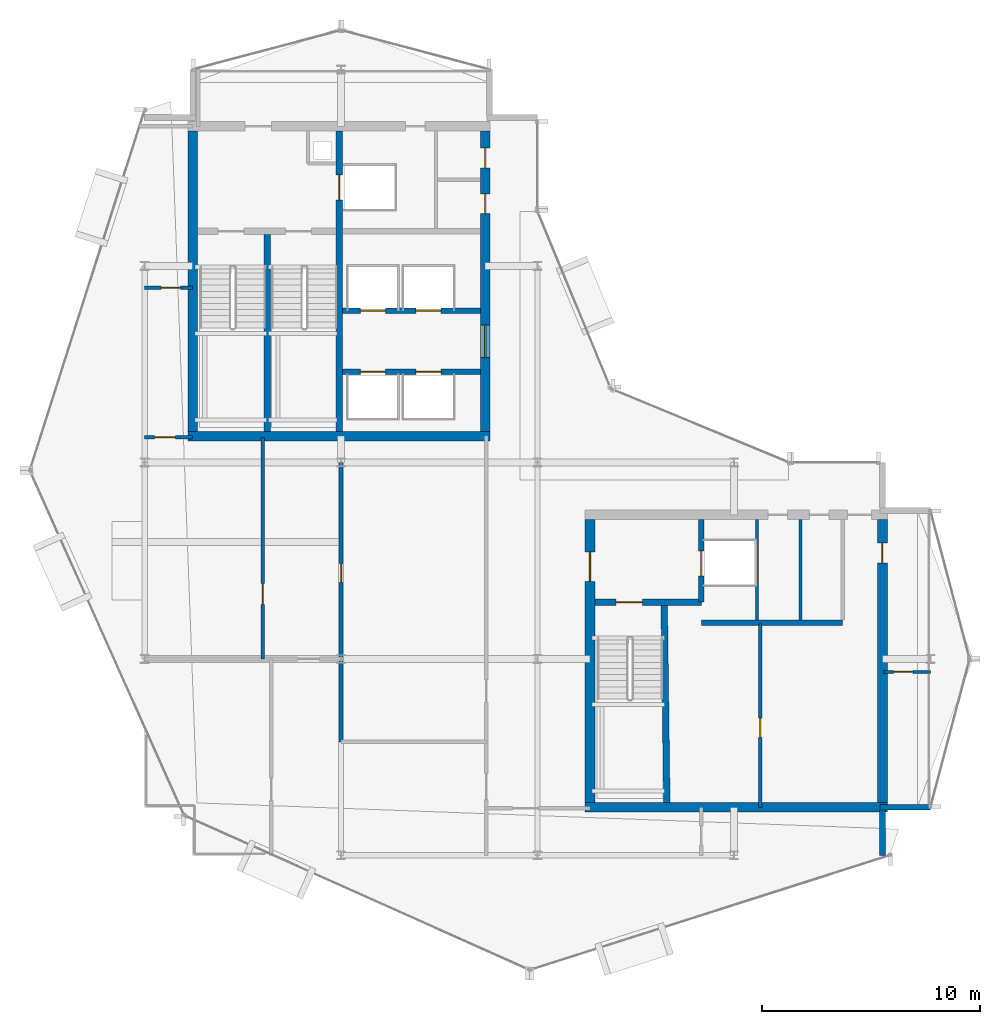
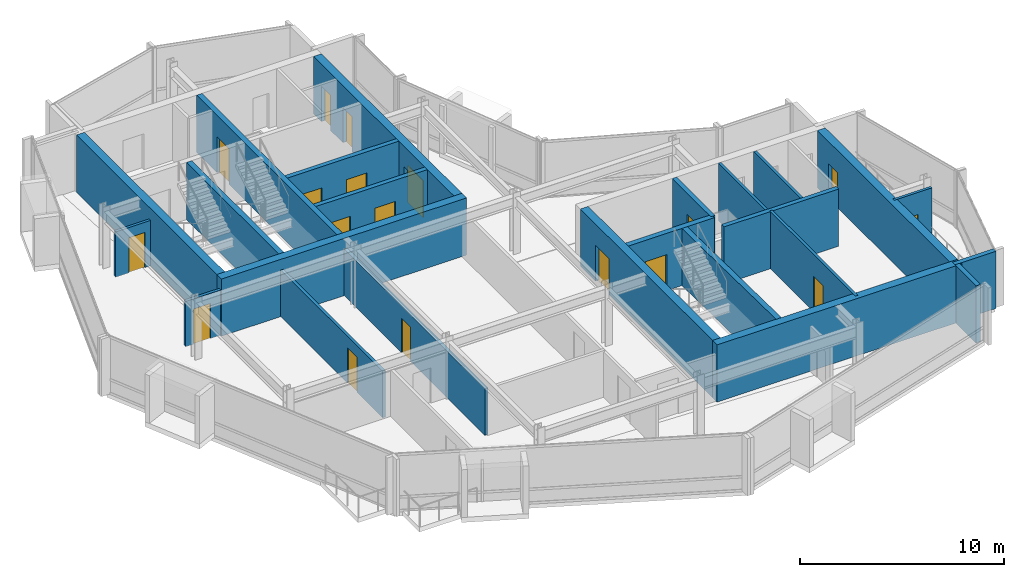
# One storey, part 14 of 19: 24 walls, 18 doors, 18 openings.
"""IFC4 building model written with IfcOpenShell, lengths in metres."""

from ifc_helpers import new_model, si_unit, direction, frame, frame_2d, origin, place, context, subcontext, project, spatial, rectangle, extrude, material, layer, layer_set, type_object, element, fill, save


model = new_model("IFC4")

# Units and contexts
model_context = context("Model", 3, precision=1e-05, world=origin(), true_north=direction((0.0, 1.0)))
body_context = subcontext(model_context, "Body", "Model", "MODEL_VIEW")
ifc_project = project(units=[si_unit("LENGTHUNIT", "METRE"), si_unit("AREAUNIT", "SQUARE_METRE"), si_unit("VOLUMEUNIT", "CUBIC_METRE"), si_unit("PLANEANGLEUNIT", "RADIAN"), si_unit("MASSUNIT", "GRAM", prefix="KILO")], contexts=[model_context])

# Site, building, storey
site_placement = place(None, origin())
site = spatial("IfcSite", under=ifc_project, at=site_placement, CompositionType="ELEMENT")
building_placement = place(site_placement, origin())
building = spatial("IfcBuilding", under=site, at=building_placement, Name="Solvaryn Broadcast Tower", CompositionType="ELEMENT")
storey_placement = place(building_placement, frame((0.0, 0.0, 248.199951171875)))
storey = spatial("IfcBuildingStorey", under=building, at=storey_placement, Name="L62", CompositionType="ELEMENT", Elevation=248.199951171875)

# Walls
ifc_material_1 = material(Name="Concrete f'c 70 MPa", Category="concrete")
ifc_layer_1 = layer(ifc_material_1, 0.449951171875)
ifc_layer_set_1 = layer_set([ifc_layer_1], Name="CW-SHEAR-450")
wall_type_1 = type_object("IfcWallType", Name="CW-SHEAR-450", PredefinedType="SHEAR", material=ifc_layer_set_1)
wall_1_placement = place(storey_placement, frame((10.97509765625, 28.199951171875, 0.0), z_axis=(0.0, 0.0, 1.0), x_axis=(1.0, 0.0, 0.0)))
element("IfcWall", 1, at=wall_1_placement, inside=storey, type_object=wall_type_1, Name="L62 West Core South Shear Wall", PredefinedType="SHEAR", context=body_context, shape_type="SweptSolid", body=[
    extrude(rectangle(XDim=13.849853515625, YDim=0.449951171875, at=frame_2d((6.9248046875, 0.0))), origin(), (0.0, 0.0, 1.0), 3.420166015625),
])
wall_2_placement = place(storey_placement, frame((11.199951171875, 42.175048828125, 0.0), z_axis=(0.0, 0.0, 1.0), x_axis=(0.0, -1.0, 0.0)))
element("IfcWall", 2, at=wall_2_placement, inside=storey, type_object=wall_type_1, Name="L62 West Core West Shear Wall", PredefinedType="SHEAR", context=body_context, shape_type="SweptSolid", body=[
    extrude(rectangle(XDim=13.75, YDim=0.449951171875, at=frame_2d((6.875, 0.0))), origin(), (0.0, 0.0, 1.0), 3.420166015625),
])

# Wall, openings, doors
wall_3_placement = place(storey_placement, frame((24.60009765625, 28.425048828125, 0.0), z_axis=(0.0, 0.0, 1.0), x_axis=(0.0, 1.0, 0.0)))
wall_3 = element("IfcWall", 3, at=wall_3_placement, inside=storey, type_object=wall_type_1, Name="L62 West Core East Shear Wall", PredefinedType="SHEAR", context=body_context, shape_type="SweptSolid", body=[
    extrude(rectangle(XDim=13.75, YDim=0.449951171875, at=frame_2d((6.875, 0.0))), origin(), (0.0, 0.0, 1.0), 3.420166015625),
])
opening_1_placement = place(wall_3_placement, frame((3.375, 0.0, 0.0)))
opening_1 = element("IfcOpeningElement", 4, at=opening_1_placement, cuts=wall_3, Name="Opening FD60A", PredefinedType="OPENING", context=body_context, shape_type="SweptSolid", body=[
    extrude(rectangle(XDim=1.5, YDim=2.199951171875, at=frame_2d((0.75, 1.10009765625))), frame((0.0, 0.235107421875, 0.0), z_axis=(0.0, -1.0, 0.0), x_axis=(1.0, 0.0, 0.0)), (0.0, 0.0, 1.0), 0.469970703125),
])
opening_2_placement = place(wall_3_placement, frame((9.97509765625, 0.0, 0.0)))
opening_2 = element("IfcOpeningElement", 5, at=opening_2_placement, cuts=wall_3, Name="Opening FD60C", PredefinedType="OPENING", context=body_context, shape_type="SweptSolid", body=[
    extrude(rectangle(XDim=0.89990234375, YDim=2.10009765625, at=frame_2d((0.449951171875, 1.050048828125))), frame((0.0, 0.235107421875, 0.0), z_axis=(0.0, -1.0, 0.0), x_axis=(1.0, 0.0, 0.0)), (0.0, 0.0, 1.0), 0.469970703125),
])
opening_3_placement = place(wall_3_placement, frame((12.074951171875, 0.0, 0.0)))
opening_3 = element("IfcOpeningElement", 6, at=opening_3_placement, cuts=wall_3, Name="Opening FD60C", PredefinedType="OPENING", context=body_context, shape_type="SweptSolid", body=[
    extrude(rectangle(XDim=0.89990234375, YDim=2.10009765625, at=frame_2d((0.449951171875, 1.050048828125))), frame((0.0, 0.235107421875, 0.0), z_axis=(0.0, -1.0, 0.0), x_axis=(1.0, 0.0, 0.0)), (0.0, 0.0, 1.0), 0.469970703125),
])
ifc_material_2 = material(Name="Flush Acoustic Steel and Timber Door Assembly", Category="steel")
door_type_1 = type_object("IfcDoorType", Name="FD60-CORR-1500X2200", OperationType="NOTDEFINED", PredefinedType="DOOR", material=ifc_material_2)
door_1_placement = place(opening_1_placement, origin())
door_1 = element("IfcDoor", 7, at=door_1_placement, inside=storey, type_object=door_type_1, Name="L62 West Elevator Lobby Corridor Door", OperationType="DOUBLE_DOOR_SINGLE_SWING", OverallHeight=2.199951171875, OverallWidth=1.5, PredefinedType="DOOR", context=body_context, shape_type="SweptSolid", body=[
    extrude(rectangle(XDim=1.5, YDim=2.199951171875, at=frame_2d((0.75, 1.10009765625))), frame((0.0, 0.02490234375, 0.0), z_axis=(0.0, -1.0, 0.0), x_axis=(1.0, 0.0, 0.0)), (0.0, 0.0, 1.0), 0.050048828125),
])
fill(opening_1, door_1)
ifc_material_3 = material(Name="Flush Acoustic Steel and Timber Door Assembly", Category="steel")
door_type_2 = type_object("IfcDoorType", Name="FD60-SERV-900X2100", OperationType="NOTDEFINED", PredefinedType="DOOR", material=ifc_material_3)
door_2_placement = place(opening_2_placement, origin())
door_2 = element("IfcDoor", 8, at=door_2_placement, inside=storey, type_object=door_type_2, Name="L62 West Core Service Door 1", OperationType="SINGLE_SWING_LEFT", OverallHeight=2.10009765625, OverallWidth=0.89990234375, PredefinedType="DOOR", context=body_context, shape_type="SweptSolid", body=[
    extrude(rectangle(XDim=0.89990234375, YDim=2.10009765625, at=frame_2d((0.449951171875, 1.050048828125))), frame((0.0, 0.02490234375, 0.0), z_axis=(0.0, -1.0, 0.0), x_axis=(1.0, 0.0, 0.0)), (0.0, 0.0, 1.0), 0.050048828125),
])
fill(opening_2, door_2)
door_3_placement = place(opening_3_placement, origin())
door_3 = element("IfcDoor", 9, at=door_3_placement, inside=storey, type_object=door_type_2, Name="L62 West Core Janitor Door", OperationType="SINGLE_SWING_RIGHT", OverallHeight=2.10009765625, OverallWidth=0.89990234375, PredefinedType="DOOR", context=body_context, shape_type="SweptSolid", body=[
    extrude(rectangle(XDim=0.89990234375, YDim=2.10009765625, at=frame_2d((0.449951171875, 1.050048828125))), frame((0.0, 0.02490234375, 0.0), z_axis=(0.0, -1.0, 0.0), x_axis=(1.0, 0.0, 0.0)), (0.0, 0.0, 1.0), 0.050048828125),
])
fill(opening_3, door_3)

# Wall
wall_4_placement = place(storey_placement, frame((29.175048828125, 11.199951171875, 0.0), z_axis=(0.0, 0.0, 1.0), x_axis=(1.0, 0.0, 0.0)))
element("IfcWall", 10, at=wall_4_placement, inside=storey, type_object=wall_type_1, Name="L62 East Core South Shear Wall", PredefinedType="SHEAR", context=body_context, shape_type="SweptSolid", body=[
    extrude(rectangle(XDim=13.849853515625, YDim=0.449951171875, at=frame_2d((6.9248046875, 0.0))), origin(), (0.0, 0.0, 1.0), 3.420166015625),
])

# Wall, opening, door
wall_5_placement = place(storey_placement, frame((29.39990234375, 24.375, 0.0), z_axis=(0.0, 0.0, 1.0), x_axis=(0.0, -1.0, 0.0)))
wall_5 = element("IfcWall", 11, at=wall_5_placement, inside=storey, type_object=wall_type_1, Name="L62 East Core West Shear Wall", PredefinedType="SHEAR", context=body_context, shape_type="SweptSolid", body=[
    extrude(rectangle(XDim=12.949951171875, YDim=0.449951171875, at=frame_2d((6.47509765625, 0.0))), origin(), (0.0, 0.0, 1.0), 3.420166015625),
])
opening_4_placement = place(wall_5_placement, frame((1.47509765625, 0.0, 0.0)))
opening_4 = element("IfcOpeningElement", 12, at=opening_4_placement, cuts=wall_5, Name="Opening FD90B", PredefinedType="OPENING", context=body_context, shape_type="SweptSolid", body=[
    extrude(rectangle(XDim=1.35009765625, YDim=2.14990234375, at=frame_2d((0.675048828125, 1.074951171875))), frame((0.0, 0.235107421875, 0.0), z_axis=(0.0, -1.0, 0.0), x_axis=(1.0, 0.0, 0.0)), (0.0, 0.0, 1.0), 0.469970703125),
])
ifc_material_4 = material(Name="Flush Acoustic Steel and Timber Door Assembly", Category="steel")
door_type_3 = type_object("IfcDoorType", Name="FD90-LOBBY-1350X2150", OperationType="NOTDEFINED", PredefinedType="DOOR", material=ifc_material_4)
door_4_placement = place(opening_4_placement, origin())
door_4 = element("IfcDoor", 13, at=door_4_placement, inside=storey, type_object=door_type_3, Name="L62 East FSAE Lobby Door", OperationType="SINGLE_SWING_RIGHT", OverallHeight=2.14990234375, OverallWidth=1.35009765625, PredefinedType="DOOR", context=body_context, shape_type="SweptSolid", body=[
    extrude(rectangle(XDim=1.35009765625, YDim=2.14990234375, at=frame_2d((0.675048828125, 1.074951171875))), frame((0.0, 0.02490234375, 0.0), z_axis=(0.0, -1.0, 0.0), x_axis=(1.0, 0.0, 0.0)), (0.0, 0.0, 1.0), 0.050048828125),
])
fill(opening_4, door_4)

wall_6_placement = place(storey_placement, frame((42.800048828125, 11.425048828125, 0.0), z_axis=(0.0, 0.0, 1.0), x_axis=(0.0, 1.0, 0.0)))
wall_6 = element("IfcWall", 14, at=wall_6_placement, inside=storey, type_object=wall_type_1, Name="L62 East Core East Shear Wall", PredefinedType="SHEAR", context=body_context, shape_type="SweptSolid", body=[
    extrude(rectangle(XDim=12.949951171875, YDim=0.449951171875, at=frame_2d((6.47509765625, 0.0))), origin(), (0.0, 0.0, 1.0), 3.420166015625),
])
opening_5_placement = place(wall_6_placement, frame((10.97509765625, 0.0, 0.0)))
opening_5 = element("IfcOpeningElement", 15, at=opening_5_placement, cuts=wall_6, Name="Opening FD60C", PredefinedType="OPENING", context=body_context, shape_type="SweptSolid", body=[
    extrude(rectangle(XDim=0.89990234375, YDim=2.10009765625, at=frame_2d((0.449951171875, 1.050048828125))), frame((0.0, 0.235107421875, 0.0), z_axis=(0.0, -1.0, 0.0), x_axis=(1.0, 0.0, 0.0)), (0.0, 0.0, 1.0), 0.469970703125),
])
door_5_placement = place(opening_5_placement, origin())
door_5 = element("IfcDoor", 16, at=door_5_placement, inside=storey, type_object=door_type_2, Name="L62 Upper East Studio Door", OperationType="SINGLE_SWING_RIGHT", OverallHeight=2.10009765625, OverallWidth=0.89990234375, PredefinedType="DOOR", context=body_context, shape_type="SweptSolid", body=[
    extrude(rectangle(XDim=0.89990234375, YDim=2.10009765625, at=frame_2d((0.449951171875, 1.050048828125))), frame((0.0, 0.02490234375, 0.0), z_axis=(0.0, -1.0, 0.0), x_axis=(1.0, 0.0, 0.0)), (0.0, 0.0, 1.0), 0.050048828125),
])
fill(opening_5, door_5)

# Walls
ifc_material_5 = material(Name="Concrete f'c 50 MPa", Category="concrete")
ifc_layer_2 = layer(ifc_material_5, 0.260009765625)
ifc_layer_set_2 = layer_set([ifc_layer_2], Name="EW-PIER-260")
wall_type_2 = type_object("IfcWallType", Name="EW-PIER-260", PredefinedType="SOLIDWALL", material=ifc_layer_set_2)
wall_7_placement = place(storey_placement, frame((42.800048828125, 9.0, 0.0), z_axis=(0.0, 0.0, 1.0), x_axis=(0.0, 1.0, 0.0)))
element("IfcWall", 17, at=wall_7_placement, inside=storey, type_object=wall_type_2, Name="L62 Notched Corner Pier Wall NSE1", PredefinedType="SOLIDWALL", context=body_context, shape_type="SweptSolid", body=[
    extrude(rectangle(XDim=2.080078125, YDim=0.260009765625, at=frame_2d((1.0400390625, 0.0))), origin(), (0.0, 0.0, 1.0), 3.420166015625),
])
wall_8_placement = place(storey_placement, frame((42.679931640625, 11.199951171875, 0.0), z_axis=(0.0, 0.0, 1.0), x_axis=(1.0, 0.0, 0.0)))
element("IfcWall", 18, at=wall_8_placement, inside=storey, type_object=wall_type_2, Name="L62 Notched Corner Pier Wall NSE2", PredefinedType="SOLIDWALL", context=body_context, shape_type="SweptSolid", body=[
    extrude(rectangle(XDim=2.320068359375, YDim=0.260009765625, at=frame_2d((1.16015625, 0.0))), origin(), (0.0, 0.0, 1.0), 3.420166015625),
])

# Wall, opening, door
ifc_material_6 = material(Name="Metal-Stud Service Core Partition")
ifc_layer_3 = layer(ifc_material_6, 0.14990234375)
ifc_layer_set_3 = layer_set([ifc_layer_3], Name="IW-PART-150")
wall_type_3 = type_object("IfcWallType", Name="IW-PART-150", PredefinedType="PARTITIONING", material=ifc_layer_set_3)
wall_9_placement = place(storey_placement, frame((37.199951171875, 11.199951171875, 0.0), z_axis=(0.0, 0.0, 1.0), x_axis=(0.0, 1.0, 0.0)))
wall_9 = element("IfcWall", 19, at=wall_9_placement, inside=storey, type_object=wall_type_3, Name="L62 Interior Partition IW-L62-RPM-V", PredefinedType="PARTITIONING", context=body_context, shape_type="SweptSolid", body=[
    extrude(rectangle(XDim=8.400146484375, YDim=0.14990234375, at=frame_2d((4.2001953125, 0.0))), origin(), (0.0, 0.0, 1.0), 3.420166015625),
])
opening_6_placement = place(wall_9_placement, frame((3.199951171875, 0.0, 0.0)))
opening_6 = element("IfcOpeningElement", 20, at=opening_6_placement, cuts=wall_9, Name="Opening FD60C", PredefinedType="OPENING", context=body_context, shape_type="SweptSolid", body=[
    extrude(rectangle(XDim=0.89990234375, YDim=2.10009765625, at=frame_2d((0.449951171875, 1.050048828125))), frame((0.0, 0.0849609375, 0.0), z_axis=(0.0, -1.0, 0.0), x_axis=(1.0, 0.0, 0.0)), (0.0, 0.0, 1.0), 0.169921875),
])
door_6_placement = place(opening_6_placement, origin())
door_6 = element("IfcDoor", 21, at=door_6_placement, inside=storey, type_object=door_type_2, Name="L62 Door DR-L62-RPM1", OperationType="SINGLE_SWING_LEFT", OverallHeight=2.10009765625, OverallWidth=0.89990234375, PredefinedType="DOOR", context=body_context, shape_type="SweptSolid", body=[
    extrude(rectangle(XDim=0.89990234375, YDim=2.10009765625, at=frame_2d((0.449951171875, 1.050048828125))), frame((0.0, 0.02490234375, 0.0), z_axis=(0.0, -1.0, 0.0), x_axis=(1.0, 0.0, 0.0)), (0.0, 0.0, 1.0), 0.050048828125),
])
fill(opening_6, door_6)

# Walls
for number, where, z_axis, x_axis, name in (
    (22, (37.050048828125, 19.780029296875, 0.0), (0.0, 0.0, 1.0), (0.0, 1.0, 0.0), "L62 Interior Partition IW-L62-CE-FL2E"),
    (23, (39.050048828125, 19.780029296875, 0.0), (0.0, 0.0, 1.0), (0.0, 1.0, 0.0), "L62 Interior Partition IW-L62-CE-V1"),
):
    element("IfcWall", number, at=place(storey_placement, frame(where, z_axis=z_axis, x_axis=x_axis)), inside=storey, type_object=wall_type_3, Name=name, PredefinedType="PARTITIONING", context=body_context, shape_type="SweptSolid", body=[
        extrude(rectangle(XDim=4.594970703125, YDim=0.14990234375, at=frame_2d((2.29736328125, 0.0))), origin(), (0.0, 0.0, 1.0), 3.420166015625),
    ])

# Wall, opening, door
wall_10_placement = place(storey_placement, frame((9.0, 35.0, 0.0), z_axis=(0.0, 0.0, 1.0), x_axis=(1.0, 0.0, 0.0)))
wall_10 = element("IfcWall", 24, at=wall_10_placement, inside=storey, type_object=wall_type_3, Name="L62 Interior Partition IW-L62-WM-M", PredefinedType="PARTITIONING", context=body_context, shape_type="SweptSolid", body=[
    extrude(rectangle(XDim=2.199951171875, YDim=0.14990234375, at=frame_2d((1.10009765625, 0.0))), origin(), (0.0, 0.0, 1.0), 2.70703125),
])
opening_7_placement = place(wall_10_placement, frame((0.75, 0.0, 0.0)))
opening_7 = element("IfcOpeningElement", 25, at=opening_7_placement, cuts=wall_10, Name="Opening FD60C", PredefinedType="OPENING", context=body_context, shape_type="SweptSolid", body=[
    extrude(rectangle(XDim=0.89990234375, YDim=2.10009765625, at=frame_2d((0.449951171875, 1.050048828125))), frame((0.0, 0.0849609375, 0.0), z_axis=(0.0, -1.0, 0.0), x_axis=(1.0, 0.0, 0.0)), (0.0, 0.0, 1.0), 0.169921875),
])
door_7_placement = place(opening_7_placement, origin())
door_7 = element("IfcDoor", 26, at=door_7_placement, inside=storey, type_object=door_type_2, Name="L62 Door DR-L62-WM1", OperationType="SINGLE_SWING_LEFT", OverallHeight=2.10009765625, OverallWidth=0.89990234375, PredefinedType="DOOR", context=body_context, shape_type="SweptSolid", body=[
    extrude(rectangle(XDim=0.89990234375, YDim=2.10009765625, at=frame_2d((0.449951171875, 1.050048828125))), frame((0.0, 0.02490234375, 0.0), z_axis=(0.0, -1.0, 0.0), x_axis=(1.0, 0.0, 0.0)), (0.0, 0.0, 1.0), 0.050048828125),
])
fill(opening_7, door_7)

wall_11_placement = place(storey_placement, frame((42.85009765625, 17.39990234375, 0.0), z_axis=(0.0, 0.0, 1.0), x_axis=(1.0, 0.0, 0.0)))
wall_11 = element("IfcWall", 27, at=wall_11_placement, inside=storey, type_object=wall_type_3, Name="L62 Interior Partition IW-L62-E4M", PredefinedType="PARTITIONING", context=body_context, shape_type="SweptSolid", body=[
    extrude(rectangle(XDim=2.14990234375, YDim=0.14990234375, at=frame_2d((1.074951171875, 0.0))), origin(), (0.0, 0.0, 1.0), 3.420166015625),
])
opening_8_placement = place(wall_11_placement, frame((0.449951171875, 0.0, 0.0)))
opening_8 = element("IfcOpeningElement", 28, at=opening_8_placement, cuts=wall_11, Name="Opening FD60C", PredefinedType="OPENING", context=body_context, shape_type="SweptSolid", body=[
    extrude(rectangle(XDim=0.89990234375, YDim=2.10009765625, at=frame_2d((0.449951171875, 1.050048828125))), frame((0.0, 0.0849609375, 0.0), z_axis=(0.0, -1.0, 0.0), x_axis=(1.0, 0.0, 0.0)), (0.0, 0.0, 1.0), 0.169921875),
])
door_8_placement = place(opening_8_placement, origin())
door_8 = element("IfcDoor", 29, at=door_8_placement, inside=storey, type_object=door_type_2, Name="L62 Door DR-L62-E4M", OperationType="SINGLE_SWING_RIGHT", OverallHeight=2.10009765625, OverallWidth=0.89990234375, PredefinedType="DOOR", context=body_context, shape_type="SweptSolid", body=[
    extrude(rectangle(XDim=0.89990234375, YDim=2.10009765625, at=frame_2d((0.449951171875, 1.050048828125))), frame((0.0, 0.02490234375, 0.0), z_axis=(0.0, -1.0, 0.0), x_axis=(1.0, 0.0, 0.0)), (0.0, 0.0, 1.0), 0.050048828125),
])
fill(opening_8, door_8)

ifc_material_7 = material(Name="Metal-Stud Gypsum Office Partition")
ifc_layer_4 = layer(ifc_material_7, 0.159912109375)
ifc_layer_set_4 = layer_set([ifc_layer_4], Name="IW-PART-160")
wall_type_4 = type_object("IfcWallType", Name="IW-PART-160", PredefinedType="PARTITIONING", material=ifc_layer_set_4)
wall_12_placement = place(storey_placement, frame((9.0, 28.14990234375, 0.0), z_axis=(0.0, 0.0, 1.0), x_axis=(1.0, 0.0, 0.0)))
wall_12 = element("IfcWall", 30, at=wall_12_placement, inside=storey, type_object=wall_type_4, Name="L62 Interior Partition IW-L62-WM-S", PredefinedType="PARTITIONING", context=body_context, shape_type="SweptSolid", body=[
    extrude(rectangle(XDim=2.199951171875, YDim=0.159912109375, at=frame_2d((1.10009765625, 0.0))), origin(), (0.0, 0.0, 1.0), 2.70703125),
])
opening_9_placement = place(wall_12_placement, frame((0.449951171875, 0.0, 0.0)))
opening_9 = element("IfcOpeningElement", 31, at=opening_9_placement, cuts=wall_12, Name="Opening ID01", PredefinedType="OPENING", context=body_context, shape_type="SweptSolid", body=[
    extrude(rectangle(XDim=0.949951171875, YDim=2.10009765625, at=frame_2d((0.47509765625, 1.050048828125))), frame((0.0, 0.090087890625, 0.0), z_axis=(0.0, -1.0, 0.0), x_axis=(1.0, 0.0, 0.0)), (0.0, 0.0, 1.0), 0.179931640625),
])
ifc_material_8 = material(Name="Flush Acoustic Steel and Timber Door Assembly", Category="steel")
door_type_4 = type_object("IfcDoorType", Name="ID-01-950X2100", OperationType="NOTDEFINED", PredefinedType="DOOR", material=ifc_material_8)
door_9_placement = place(opening_9_placement, origin())
door_9 = element("IfcDoor", 32, at=door_9_placement, inside=storey, type_object=door_type_4, Name="L62 Door DR-L62-WM0", OperationType="SINGLE_SWING_RIGHT", OverallHeight=2.10009765625, OverallWidth=0.949951171875, PredefinedType="DOOR", context=body_context, shape_type="SweptSolid", body=[
    extrude(rectangle(XDim=0.949951171875, YDim=2.10009765625, at=frame_2d((0.47509765625, 1.050048828125))), frame((0.0, 0.02490234375, 0.0), z_axis=(0.0, -1.0, 0.0), x_axis=(1.0, 0.0, 0.0)), (0.0, 0.0, 1.0), 0.050048828125),
])
fill(opening_9, door_9)

wall_13_placement = place(storey_placement, frame((14.39990234375, 18.0, 0.0), z_axis=(0.0, 0.0, 1.0), x_axis=(0.0, 1.0, 0.0)))
wall_13 = element("IfcWall", 33, at=wall_13_placement, inside=storey, type_object=wall_type_4, Name="L62 Interior Partition IW-L62-SW-NWV", PredefinedType="PARTITIONING", context=body_context, shape_type="SweptSolid", body=[
    extrude(rectangle(XDim=10.1298828125, YDim=0.159912109375, at=frame_2d((5.06494140625, 0.0))), origin(), (0.0, 0.0, 1.0), 2.7890625),
])
opening_10_placement = place(wall_13_placement, frame((2.5, 0.0, 0.0)))
opening_10 = element("IfcOpeningElement", 34, at=opening_10_placement, cuts=wall_13, Name="Opening ID01", PredefinedType="OPENING", context=body_context, shape_type="SweptSolid", body=[
    extrude(rectangle(XDim=0.949951171875, YDim=2.10009765625, at=frame_2d((0.47509765625, 1.050048828125))), frame((0.0, 0.090087890625, 0.0), z_axis=(0.0, -1.0, 0.0), x_axis=(1.0, 0.0, 0.0)), (0.0, 0.0, 1.0), 0.179931640625),
])
door_10_placement = place(opening_10_placement, origin())
door_10 = element("IfcDoor", 35, at=door_10_placement, inside=storey, type_object=door_type_4, Name="L62 Door DR-L62-SWL-NW", OperationType="SINGLE_SWING_LEFT", OverallHeight=2.10009765625, OverallWidth=0.949951171875, PredefinedType="DOOR", context=body_context, shape_type="SweptSolid", body=[
    extrude(rectangle(XDim=0.949951171875, YDim=2.10009765625, at=frame_2d((0.47509765625, 1.050048828125))), frame((0.0, 0.02490234375, 0.0), z_axis=(0.0, -1.0, 0.0), x_axis=(1.0, 0.0, 0.0)), (0.0, 0.0, 1.0), 0.050048828125),
])
fill(opening_10, door_10)

ifc_material_9 = material(Name="Acoustic Metal-Stud Gypsum Partition")
ifc_layer_5 = layer(ifc_material_9, 0.179931640625)
ifc_layer_set_5 = layer_set([ifc_layer_5], Name="IW-PART-180")
wall_type_5 = type_object("IfcWallType", Name="IW-PART-180", PredefinedType="PARTITIONING", material=ifc_layer_set_5)
wall_14_placement = place(storey_placement, frame((18.0, 14.199951171875, 0.0), z_axis=(0.0, 0.0, 1.0), x_axis=(0.0, 1.0, 0.0)))
wall_14 = element("IfcWall", 36, at=wall_14_placement, inside=storey, type_object=wall_type_5, Name="L62 Interior Partition IW-L62-SW-LV", PredefinedType="PARTITIONING", context=body_context, shape_type="SweptSolid", body=[
    extrude(rectangle(XDim=13.929931640625, YDim=0.179931640625, at=frame_2d((6.96484375, 0.0))), origin(), (0.0, 0.0, 1.0), 2.7890625),
])
opening_11_placement = place(wall_14_placement, frame((7.300048828125, 0.0, 0.0)))
opening_11 = element("IfcOpeningElement", 37, at=opening_11_placement, cuts=wall_14, Name="Opening ID07", PredefinedType="OPENING", context=body_context, shape_type="SweptSolid", body=[
    extrude(rectangle(XDim=0.860107421875, YDim=2.050048828125, at=frame_2d((0.43017578125, 1.02490234375))), frame((0.0, 0.099853515625, 0.0), z_axis=(0.0, -1.0, 0.0), x_axis=(1.0, 0.0, 0.0)), (0.0, 0.0, 1.0), 0.199951171875),
])
ifc_material_10 = material(Name="Flush Acoustic Steel and Timber Door Assembly", Category="steel")
door_type_5 = type_object("IfcDoorType", Name="ID-07-860X2050", OperationType="NOTDEFINED", PredefinedType="DOOR", material=ifc_material_10)
door_11_placement = place(opening_11_placement, origin())
door_11 = element("IfcDoor", 38, at=door_11_placement, inside=storey, type_object=door_type_5, Name="L62 Door DR-L62-SWL-LV", OperationType="SINGLE_SWING_RIGHT", OverallHeight=2.050048828125, OverallWidth=0.860107421875, PredefinedType="DOOR", context=body_context, shape_type="SweptSolid", body=[
    extrude(rectangle(XDim=0.860107421875, YDim=2.050048828125, at=frame_2d((0.43017578125, 1.02490234375))), frame((0.0, 0.02490234375, 0.0), z_axis=(0.0, -1.0, 0.0), x_axis=(1.0, 0.0, 0.0)), (0.0, 0.0, 1.0), 0.050048828125),
])
fill(opening_11, door_11)

# Wall, openings, doors
ifc_material_11 = material(Name="Concrete f'c 60 MPa", Category="concrete")
ifc_layer_6 = layer(ifc_material_11, 0.25)
ifc_layer_set_6 = layer_set([ifc_layer_6], Name="SW-SHAFT-250")
wall_type_6 = type_object("IfcWallType", Name="SW-SHAFT-250", PredefinedType="PARTITIONING", material=ifc_layer_set_6)
wall_15_placement = place(storey_placement, frame((18.070068359375, 31.14990234375, 0.0), z_axis=(0.0, 0.0, 1.0), x_axis=(1.0, 0.0, 0.0)))
wall_15 = element("IfcWall", 39, at=wall_15_placement, inside=storey, type_object=wall_type_6, Name="L62 High-Rise Lift Bank South Wall", PredefinedType="PARTITIONING", context=body_context, shape_type="SweptSolid", body=[
    extrude(rectangle(XDim=6.304931640625, YDim=0.25, at=frame_2d((3.15234375, 0.0))), origin(), (0.0, 0.0, 1.0), 3.420166015625),
])
opening_12_placement = place(wall_15_placement, frame((0.804931640625, 0.0, 0.0)))
opening_12 = element("IfcOpeningElement", 40, at=opening_12_placement, cuts=wall_15, Name="Opening LD01", PredefinedType="OPENING", context=body_context, shape_type="SweptSolid", body=[
    extrude(rectangle(XDim=1.14990234375, YDim=2.14990234375, at=frame_2d((0.574951171875, 1.074951171875))), frame((0.0, 0.135009765625, 0.0), z_axis=(0.0, -1.0, 0.0), x_axis=(1.0, 0.0, 0.0)), (0.0, 0.0, 1.0), 0.27001953125),
])
opening_13_placement = place(wall_15_placement, frame((3.35498046875, 0.0, 0.0)))
opening_13 = element("IfcOpeningElement", 41, at=opening_13_placement, cuts=wall_15, Name="Opening LD01", PredefinedType="OPENING", context=body_context, shape_type="SweptSolid", body=[
    extrude(rectangle(XDim=1.14990234375, YDim=2.14990234375, at=frame_2d((0.574951171875, 1.074951171875))), frame((0.0, 0.135009765625, 0.0), z_axis=(0.0, -1.0, 0.0), x_axis=(1.0, 0.0, 0.0)), (0.0, 0.0, 1.0), 0.27001953125),
])
ifc_material_12 = material(Name="Flush Acoustic Steel and Timber Door Assembly", Category="steel")
door_type_6 = type_object("IfcDoorType", Name="LD-LIFT-1150X2150", OperationType="NOTDEFINED", PredefinedType="DOOR", material=ifc_material_12)
door_12_placement = place(opening_12_placement, origin())
door_12 = element("IfcDoor", 42, at=door_12_placement, inside=storey, type_object=door_type_6, Name="L62 PH1 Lift Landing Door", OperationType="DOUBLE_DOOR_SLIDING", OverallHeight=2.14990234375, OverallWidth=1.14990234375, PredefinedType="DOOR", context=body_context, shape_type="SweptSolid", body=[
    extrude(rectangle(XDim=1.14990234375, YDim=2.14990234375, at=frame_2d((0.574951171875, 1.074951171875))), frame((0.0, 0.02490234375, 0.0), z_axis=(0.0, -1.0, 0.0), x_axis=(1.0, 0.0, 0.0)), (0.0, 0.0, 1.0), 0.050048828125),
])
fill(opening_12, door_12)
door_13_placement = place(opening_13_placement, origin())
door_13 = element("IfcDoor", 43, at=door_13_placement, inside=storey, type_object=door_type_6, Name="L62 PH2 Lift Landing Door", OperationType="DOUBLE_DOOR_SLIDING", OverallHeight=2.14990234375, OverallWidth=1.14990234375, PredefinedType="DOOR", context=body_context, shape_type="SweptSolid", body=[
    extrude(rectangle(XDim=1.14990234375, YDim=2.14990234375, at=frame_2d((0.574951171875, 1.074951171875))), frame((0.0, 0.02490234375, 0.0), z_axis=(0.0, -1.0, 0.0), x_axis=(1.0, 0.0, 0.0)), (0.0, 0.0, 1.0), 0.050048828125),
])
fill(opening_13, door_13)

wall_16_placement = place(storey_placement, frame((24.375, 33.949951171875, 0.0), z_axis=(0.0, 0.0, 1.0), x_axis=(-1.0, 0.0, 0.0)))
wall_16 = element("IfcWall", 44, at=wall_16_placement, inside=storey, type_object=wall_type_6, Name="L62 High-Rise Lift Bank North Wall", PredefinedType="PARTITIONING", context=body_context, shape_type="SweptSolid", body=[
    extrude(rectangle(XDim=6.304931640625, YDim=0.25, at=frame_2d((3.15234375, 0.0))), origin(), (0.0, 0.0, 1.0), 3.420166015625),
])
opening_14_placement = place(wall_16_placement, frame((4.35009765625, 0.0, 0.0)))
opening_14 = element("IfcOpeningElement", 45, at=opening_14_placement, cuts=wall_16, Name="Opening LD01", PredefinedType="OPENING", context=body_context, shape_type="SweptSolid", body=[
    extrude(rectangle(XDim=1.14990234375, YDim=2.14990234375, at=frame_2d((0.574951171875, 1.074951171875))), frame((0.0, 0.135009765625, 0.0), z_axis=(0.0, -1.0, 0.0), x_axis=(1.0, 0.0, 0.0)), (0.0, 0.0, 1.0), 0.27001953125),
])
opening_15_placement = place(wall_16_placement, frame((1.800048828125, 0.0, 0.0)))
opening_15 = element("IfcOpeningElement", 46, at=opening_15_placement, cuts=wall_16, Name="Opening LD01", PredefinedType="OPENING", context=body_context, shape_type="SweptSolid", body=[
    extrude(rectangle(XDim=1.14990234375, YDim=2.14990234375, at=frame_2d((0.574951171875, 1.074951171875))), frame((0.0, 0.135009765625, 0.0), z_axis=(0.0, -1.0, 0.0), x_axis=(1.0, 0.0, 0.0)), (0.0, 0.0, 1.0), 0.27001953125),
])
door_14_placement = place(opening_14_placement, origin())
door_14 = element("IfcDoor", 47, at=door_14_placement, inside=storey, type_object=door_type_6, Name="L62 PH3 Lift Landing Door", OperationType="DOUBLE_DOOR_SLIDING", OverallHeight=2.14990234375, OverallWidth=1.14990234375, PredefinedType="DOOR", context=body_context, shape_type="SweptSolid", body=[
    extrude(rectangle(XDim=1.14990234375, YDim=2.14990234375, at=frame_2d((0.574951171875, 1.074951171875))), frame((0.0, 0.02490234375, 0.0), z_axis=(0.0, -1.0, 0.0), x_axis=(1.0, 0.0, 0.0)), (0.0, 0.0, 1.0), 0.050048828125),
])
fill(opening_14, door_14)
door_15_placement = place(opening_15_placement, origin())
door_15 = element("IfcDoor", 48, at=door_15_placement, inside=storey, type_object=door_type_6, Name="L62 PH4 Lift Landing Door", OperationType="DOUBLE_DOOR_SLIDING", OverallHeight=2.14990234375, OverallWidth=1.14990234375, PredefinedType="DOOR", context=body_context, shape_type="SweptSolid", body=[
    extrude(rectangle(XDim=1.14990234375, YDim=2.14990234375, at=frame_2d((0.574951171875, 1.074951171875))), frame((0.0, 0.02490234375, 0.0), z_axis=(0.0, -1.0, 0.0), x_axis=(1.0, 0.0, 0.0)), (0.0, 0.0, 1.0), 0.050048828125),
])
fill(opening_15, door_15)

# Wall, opening, door
wall_17_placement = place(storey_placement, frame((34.5, 20.60009765625, 0.0), z_axis=(0.0, 0.0, 1.0), x_axis=(0.0, 1.0, 0.0)))
wall_17 = element("IfcWall", 49, at=wall_17_placement, inside=storey, type_object=wall_type_6, Name="L62 East FSAE Lobby East Wall", PredefinedType="PARTITIONING", context=body_context, shape_type="SweptSolid", body=[
    extrude(rectangle(XDim=3.77490234375, YDim=0.25, at=frame_2d((1.887451171875, 0.0))), origin(), (0.0, 0.0, 1.0), 3.420166015625),
])
opening_16_placement = place(wall_17_placement, frame((1.199951171875, 0.0, 0.0)))
opening_16 = element("IfcOpeningElement", 50, at=opening_16_placement, cuts=wall_17, Name="Opening LD01", PredefinedType="OPENING", context=body_context, shape_type="SweptSolid", body=[
    extrude(rectangle(XDim=1.14990234375, YDim=2.14990234375, at=frame_2d((0.574951171875, 1.074951171875))), frame((0.0, 0.135009765625, 0.0), z_axis=(0.0, -1.0, 0.0), x_axis=(1.0, 0.0, 0.0)), (0.0, 0.0, 1.0), 0.27001953125),
])
door_16_placement = place(opening_16_placement, origin())
door_16 = element("IfcDoor", 51, at=door_16_placement, inside=storey, type_object=door_type_6, Name="L62 FL2 Lift Landing Door", OperationType="DOUBLE_DOOR_SLIDING", OverallHeight=2.14990234375, OverallWidth=1.14990234375, PredefinedType="DOOR", context=body_context, shape_type="SweptSolid", body=[
    extrude(rectangle(XDim=1.14990234375, YDim=2.14990234375, at=frame_2d((0.574951171875, 1.074951171875))), frame((0.0, 0.02490234375, 0.0), z_axis=(0.0, -1.0, 0.0), x_axis=(1.0, 0.0, 0.0)), (0.0, 0.0, 1.0), 0.050048828125),
])
fill(opening_16, door_16)

# Walls
wall_18_placement = place(storey_placement, frame((34.5, 19.64990234375, 0.0), z_axis=(0.0, 0.0, 1.0), x_axis=(1.0, 0.0, 0.0)))
element("IfcWall", 52, at=wall_18_placement, inside=storey, type_object=wall_type_6, Name="L62 East Core Restroom South Wall", PredefinedType="PARTITIONING", context=body_context, shape_type="SweptSolid", body=[
    extrude(rectangle(XDim=6.47998046875, YDim=0.25, at=frame_2d((3.239990234375, 0.0))), origin(), (0.0, 0.0, 1.0), 3.420166015625),
])
ifc_material_13 = material(Name="Concrete f'c 70 MPa", Category="concrete")
ifc_layer_7 = layer(ifc_material_13, 0.300048828125)
ifc_layer_set_7 = layer_set([ifc_layer_7], Name="SW-SHAFT-300")
wall_type_7 = type_object("IfcWallType", Name="SW-SHAFT-300", PredefinedType="SHEAR", material=ifc_layer_set_7)
wall_19_placement = place(storey_placement, frame((14.6201171875, 28.425048828125, 0.0), z_axis=(0.0, 0.0, 1.0), x_axis=(0.0, 1.0, 0.0)))
element("IfcWall", 53, at=wall_19_placement, inside=storey, type_object=wall_type_7, Name="L62 Stair 1-2 Dividing Wall", PredefinedType="SHEAR", context=body_context, shape_type="SweptSolid", body=[
    extrude(rectangle(XDim=9.02490234375, YDim=0.300048828125, at=frame_2d((4.512451171875, 0.0))), origin(), (0.0, 0.0, 1.0), 3.420166015625),
])

# Wall, opening, door
wall_20_placement = place(storey_placement, frame((17.919921875, 42.175048828125, 0.0), z_axis=(0.0, 0.0, 1.0), x_axis=(0.0, -1.0, 0.0)))
wall_20 = element("IfcWall", 54, at=wall_20_placement, inside=storey, type_object=wall_type_7, Name="L62 West Core Stair-Lobby Shear Wall", PredefinedType="SHEAR", context=body_context, shape_type="SweptSolid", body=[
    extrude(rectangle(XDim=13.75, YDim=0.300048828125, at=frame_2d((6.875, 0.0))), origin(), (0.0, 0.0, 1.0), 3.420166015625),
])
opening_17_placement = place(wall_20_placement, frame((2.0, 0.0, 0.0)))
opening_17 = element("IfcOpeningElement", 55, at=opening_17_placement, cuts=wall_20, Name="Opening LD01", PredefinedType="OPENING", context=body_context, shape_type="SweptSolid", body=[
    extrude(rectangle(XDim=1.14990234375, YDim=2.14990234375, at=frame_2d((0.574951171875, 1.074951171875))), frame((0.0, 0.159912109375, 0.0), z_axis=(0.0, -1.0, 0.0), x_axis=(1.0, 0.0, 0.0)), (0.0, 0.0, 1.0), 0.320068359375),
])
door_17_placement = place(opening_17_placement, origin())
door_17 = element("IfcDoor", 56, at=door_17_placement, inside=storey, type_object=door_type_6, Name="L62 FL1 Lift Landing Door", OperationType="DOUBLE_DOOR_SLIDING", OverallHeight=2.14990234375, OverallWidth=1.14990234375, PredefinedType="DOOR", context=body_context, shape_type="SweptSolid", body=[
    extrude(rectangle(XDim=1.14990234375, YDim=2.14990234375, at=frame_2d((0.574951171875, 1.074951171875))), frame((0.0, 0.02490234375, 0.0), z_axis=(0.0, -1.0, 0.0), x_axis=(1.0, 0.0, 0.0)), (0.0, 0.0, 1.0), 0.050048828125),
])
fill(opening_17, door_17)

# Wall
wall_21_placement = place(storey_placement, frame((32.919921875, 11.425048828125, 0.0), z_axis=(0.0, 0.0, 1.0), x_axis=(-0.013135638869, 0.999913723774, 0.0)))
element("IfcWall", 57, at=wall_21_placement, inside=storey, type_object=wall_type_7, Name="L62 Stair 3 East Shear Wall", PredefinedType="SHEAR", context=body_context, shape_type="SweptSolid", body=[
    extrude(rectangle(XDim=9.125732421875, YDim=0.300048828125, at=frame_2d((4.56298828125, 0.0))), origin(), (0.0, 0.0, 1.0), 3.420166015625),
])

# Wall, opening, door
wall_22_placement = place(storey_placement, frame((34.5, 20.60009765625, 0.0), z_axis=(0.0, 0.0, 1.0), x_axis=(-1.0, 0.0, 0.0)))
wall_22 = element("IfcWall", 58, at=wall_22_placement, inside=storey, type_object=wall_type_7, Name="L62 East FSAE Lobby South Wall", PredefinedType="SHEAR", context=body_context, shape_type="SweptSolid", body=[
    extrude(rectangle(XDim=4.875, YDim=0.300048828125, at=frame_2d((2.4375, 0.0))), origin(), (0.0, 0.0, 1.0), 3.420166015625),
])
opening_18_placement = place(wall_22_placement, frame((2.699951171875, 0.0, 0.0)))
opening_18 = element("IfcOpeningElement", 59, at=opening_18_placement, cuts=wall_22, Name="Opening FD90A", PredefinedType="OPENING", context=body_context, shape_type="SweptSolid", body=[
    extrude(rectangle(XDim=1.199951171875, YDim=2.14990234375, at=frame_2d((0.60009765625, 1.074951171875))), frame((0.0, 0.159912109375, 0.0), z_axis=(0.0, -1.0, 0.0), x_axis=(1.0, 0.0, 0.0)), (0.0, 0.0, 1.0), 0.320068359375),
])
ifc_material_14 = material(Name="Flush Acoustic Steel and Timber Door Assembly", Category="steel")
door_type_7 = type_object("IfcDoorType", Name="FD90-STAIR-1200X2150", OperationType="NOTDEFINED", PredefinedType="DOOR", material=ifc_material_14)
door_18_placement = place(opening_18_placement, origin())
door_18 = element("IfcDoor", 60, at=door_18_placement, inside=storey, type_object=door_type_7, Name="L62 Stair 3 Fire Door", OperationType="SINGLE_SWING_LEFT", OverallHeight=2.14990234375, OverallWidth=1.199951171875, PredefinedType="DOOR", context=body_context, shape_type="SweptSolid", body=[
    extrude(rectangle(XDim=1.199951171875, YDim=2.14990234375, at=frame_2d((0.60009765625, 1.074951171875))), frame((0.0, 0.02490234375, 0.0), z_axis=(0.0, -1.0, 0.0), x_axis=(1.0, 0.0, 0.0)), (0.0, 0.0, 1.0), 0.050048828125),
])
fill(opening_18, door_18)

save(model, "model.ifc")
